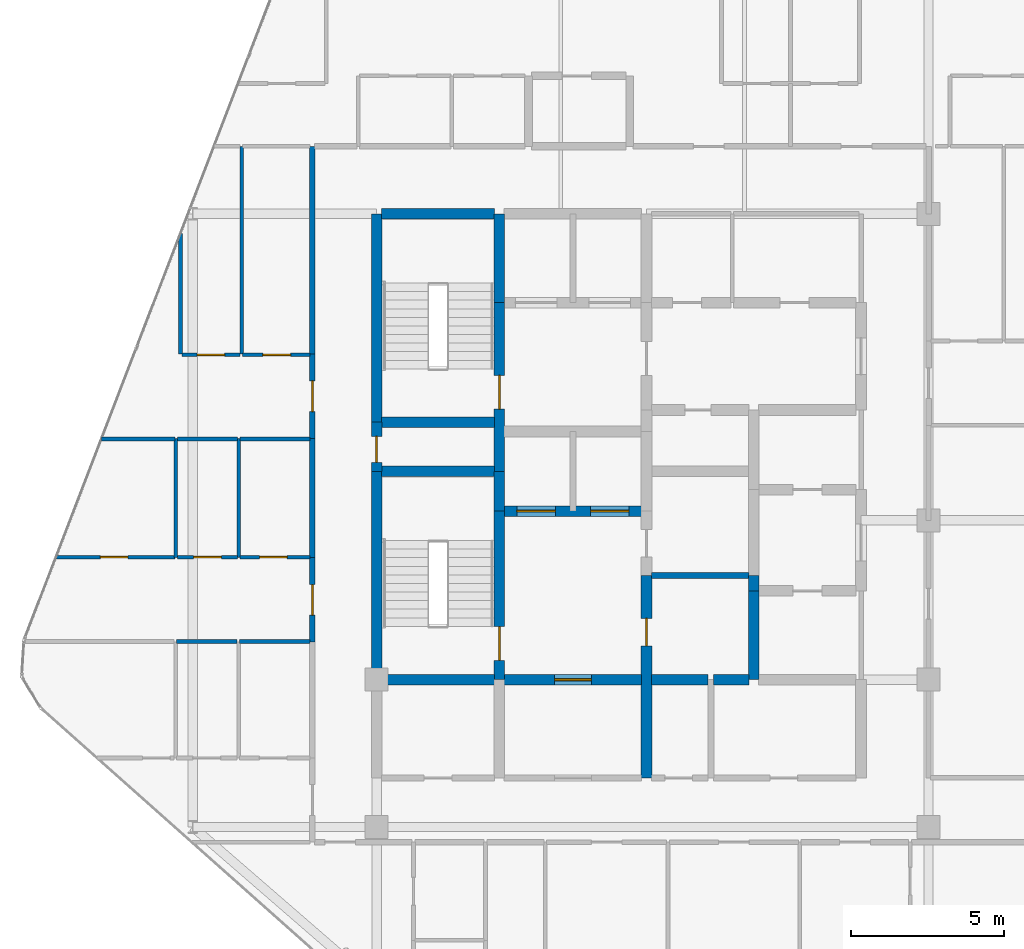
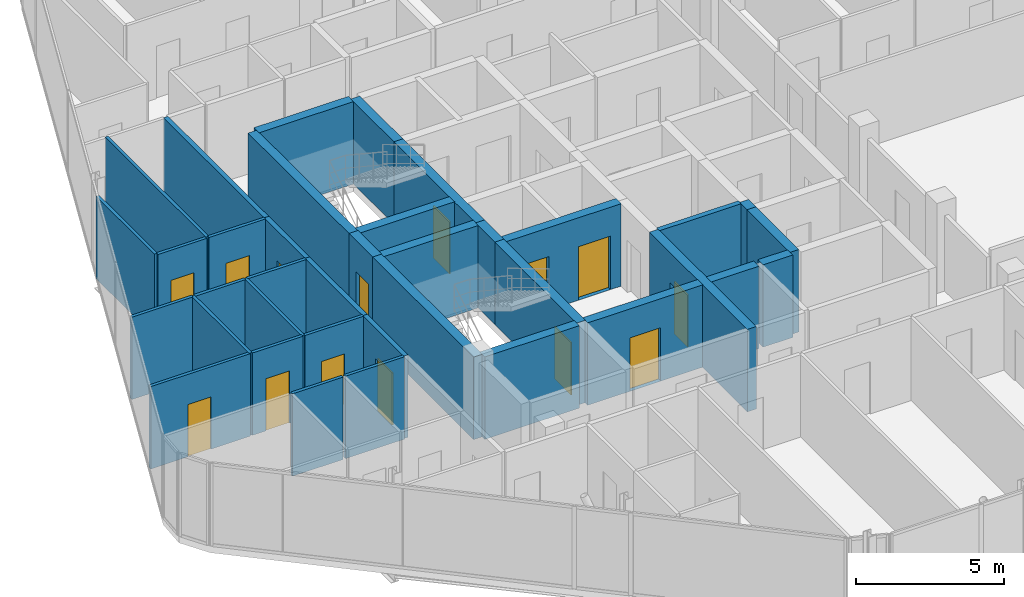
# One storey, part 23 of 27: 37 walls, 14 doors, 14 openings.
"""IFC4 building model written with IfcOpenShell, lengths in metres."""

from ifc_helpers import new_model, si_unit, direction, frame, frame_2d, origin, place, context, subcontext, project, spatial, rectangle, extrude, material, layer, layer_set, type_object, element, fill, save


model = new_model("IFC4")

# Units and contexts
model_context = context("Model", 3, precision=1e-05, world=origin(), true_north=direction((0.0, 1.0)))
body_context = subcontext(model_context, "Body", "Model", "MODEL_VIEW")
ifc_project = project(units=[si_unit("LENGTHUNIT", "METRE"), si_unit("AREAUNIT", "SQUARE_METRE"), si_unit("VOLUMEUNIT", "CUBIC_METRE"), si_unit("PLANEANGLEUNIT", "RADIAN"), si_unit("MASSUNIT", "GRAM", prefix="KILO")], contexts=[model_context])

# Site, building, storey
site_placement = place(None, origin())
site = spatial("IfcSite", under=ifc_project, at=site_placement, CompositionType="ELEMENT")
building_placement = place(site_placement, origin())
building = spatial("IfcBuilding", under=site, at=building_placement, Name="Keshet Zoharim Tower", CompositionType="ELEMENT")
storey_placement = place(building_placement, frame((0.0, 0.0, 269.5)))
storey = spatial("IfcBuildingStorey", under=building, at=storey_placement, Name="L67", CompositionType="ELEMENT", Elevation=269.5)

# Wall
ifc_material_1 = material(Name="Concrete C60/75", Category="concrete")
ifc_layer_1 = layer(ifc_material_1, 0.35009765625)
ifc_layer_set_1 = layer_set([ifc_layer_1], Name="Concrete C60/75")
wall_type_1 = type_object("IfcWallType", Name="WL-CORE-350", PredefinedType="SHEAR", material=ifc_layer_set_1)
wall_1_placement = place(storey_placement, frame((15.0, 22.699951171875, 0.0), z_axis=(0.0, 0.0, 1.0), x_axis=(0.0, 1.0, 0.0)))
element("IfcWall", 1, at=wall_1_placement, inside=storey, type_object=wall_type_1, Name="L67 Core Shear Wall 017", PredefinedType="SHEAR", context=body_context, shape_type="SweptSolid", body=[
    extrude(rectangle(XDim=6.800048828125, YDim=0.35009765625, at=frame_2d((3.39990234375, 0.0))), origin(), (0.0, 0.0, 1.0), 3.389892578125),
])

# Wall, opening, door
wall_2_placement = place(storey_placement, frame((15.0, 29.5, 0.0), z_axis=(0.0, 0.0, 1.0), x_axis=(0.0, 1.0, 0.0)))
wall_2 = element("IfcWall", 2, at=wall_2_placement, inside=storey, type_object=wall_type_1, Name="L67 Core Shear Wall 018", PredefinedType="SHEAR", context=body_context, shape_type="SweptSolid", body=[
    extrude(rectangle(XDim=1.60009765625, YDim=0.35009765625, at=frame_2d((0.800048828125, 0.0))), origin(), (0.0, 0.0, 1.0), 3.389892578125),
])
opening_1_placement = place(wall_2_placement, frame((0.287109375, 0.0, 0.0)))
opening_1 = element("IfcOpeningElement", 3, at=opening_1_placement, cuts=wall_2, Name="Opening D-RS85", PredefinedType="OPENING", context=body_context, shape_type="SweptSolid", body=[
    extrude(rectangle(XDim=0.85009765625, YDim=2.10009765625, at=frame_2d((0.425048828125, 1.050048828125))), frame((0.0, 0.18505859375, 0.0), z_axis=(0.0, -1.0, 0.0), x_axis=(1.0, 0.0, 0.0)), (0.0, 0.0, 1.0), 0.3701171875),
])
ifc_material_2 = material(Name="Hardwood Timber", Category="wood")
door_type_1 = type_object("IfcDoorType", Name="DR-RIS-085", OperationType="NOTDEFINED", PredefinedType="DOOR", material=ifc_material_2)
door_1_placement = place(opening_1_placement, origin())
door_1 = element("IfcDoor", 4, at=door_1_placement, inside=storey, type_object=door_type_1, Name="L67 Electrical Riser Access Cupboard Door", OperationType="SINGLE_SWING_RIGHT", OverallHeight=2.10009765625, OverallWidth=0.85009765625, PredefinedType="DOOR", context=body_context, shape_type="SweptSolid", body=[
    extrude(rectangle(XDim=0.85009765625, YDim=2.10009765625, at=frame_2d((0.425048828125, 1.050048828125))), frame((0.0, 0.02490234375, 0.0), z_axis=(0.0, -1.0, 0.0), x_axis=(1.0, 0.0, 0.0)), (0.0, 0.0, 1.0), 0.050048828125),
])
fill(opening_1, door_1)

# Wall
wall_3_placement = place(storey_placement, frame((15.0, 31.10009765625, 0.0), z_axis=(0.0, 0.0, 1.0), x_axis=(0.0, 1.0, 0.0)))
element("IfcWall", 5, at=wall_3_placement, inside=storey, type_object=wall_type_1, Name="L67 Core Shear Wall 019", PredefinedType="SHEAR", context=body_context, shape_type="SweptSolid", body=[
    extrude(rectangle(XDim=6.7998046875, YDim=0.35009765625, at=frame_2d((3.39990234375, 0.0))), origin(), (0.0, 0.0, 1.0), 3.389892578125),
])

# Wall, opening, door
wall_4_placement = place(storey_placement, frame((19.0, 22.699951171875, 0.0), z_axis=(0.0, 0.0, 1.0), x_axis=(0.0, 1.0, 0.0)))
wall_4 = element("IfcWall", 6, at=wall_4_placement, inside=storey, type_object=wall_type_1, Name="L67 Core Shear Wall 027", PredefinedType="SHEAR", context=body_context, shape_type="SweptSolid", body=[
    extrude(rectangle(XDim=5.5, YDim=0.35009765625, at=frame_2d((2.75, 0.0))), origin(), (0.0, 0.0, 1.0), 3.389892578125),
])
opening_2_placement = place(wall_4_placement, frame((0.631103515625, 0.0, 0.0)))
opening_2 = element("IfcOpeningElement", 7, at=opening_2_placement, cuts=wall_4, Name="Opening D-F611", PredefinedType="OPENING", context=body_context, shape_type="SweptSolid", body=[
    extrude(rectangle(XDim=1.10009765625, YDim=2.14990234375, at=frame_2d((0.550048828125, 1.074951171875))), frame((0.0, 0.18505859375, 0.0), z_axis=(0.0, -1.0, 0.0), x_axis=(1.0, 0.0, 0.0)), (0.0, 0.0, 1.0), 0.3701171875),
])
door_type_2 = type_object("IfcDoorType", Name="DR-FD60-110", OperationType="NOTDEFINED", PredefinedType="DOOR", material=ifc_material_2)
door_2_placement = place(opening_2_placement, origin())
door_2 = element("IfcDoor", 8, at=door_2_placement, inside=storey, type_object=door_type_2, Name="L67 Exit Stair ST-01 Fire Door", OperationType="SINGLE_SWING_LEFT", OverallHeight=2.14990234375, OverallWidth=1.10009765625, PredefinedType="DOOR", context=body_context, shape_type="SweptSolid", body=[
    extrude(rectangle(XDim=1.10009765625, YDim=2.14990234375, at=frame_2d((0.550048828125, 1.074951171875))), frame((0.0, 0.02490234375, 0.0), z_axis=(0.0, -1.0, 0.0), x_axis=(1.0, 0.0, 0.0)), (0.0, 0.0, 1.0), 0.050048828125),
])
fill(opening_2, door_2)

# Wall
wall_5_placement = place(storey_placement, frame((19.0, 28.199951171875, 0.0), z_axis=(0.0, 0.0, 1.0), x_axis=(0.0, 1.0, 0.0)))
element("IfcWall", 9, at=wall_5_placement, inside=storey, type_object=wall_type_1, Name="L67 Core Shear Wall 028", PredefinedType="SHEAR", context=body_context, shape_type="SweptSolid", body=[
    extrude(rectangle(XDim=1.300048828125, YDim=0.35009765625, at=frame_2d((0.64990234375, 0.0))), origin(), (0.0, 0.0, 1.0), 3.389892578125),
])

# Wall, opening, door
wall_6_placement = place(storey_placement, frame((19.0, 29.5, 0.0), z_axis=(0.0, 0.0, 1.0), x_axis=(0.0, 1.0, 0.0)))
wall_6 = element("IfcWall", 10, at=wall_6_placement, inside=storey, type_object=wall_type_1, Name="L67 Core Shear Wall 029", PredefinedType="SHEAR", context=body_context, shape_type="SweptSolid", body=[
    extrude(rectangle(XDim=5.5, YDim=0.35009765625, at=frame_2d((2.75, 0.0))), origin(), (0.0, 0.0, 1.0), 3.389892578125),
])
opening_3_placement = place(wall_6_placement, frame((2.02490234375, 0.0, 0.0)))
opening_3 = element("IfcOpeningElement", 11, at=opening_3_placement, cuts=wall_6, Name="Opening D-F611", PredefinedType="OPENING", context=body_context, shape_type="SweptSolid", body=[
    extrude(rectangle(XDim=1.10009765625, YDim=2.14990234375, at=frame_2d((0.550048828125, 1.074951171875))), frame((0.0, 0.18505859375, 0.0), z_axis=(0.0, -1.0, 0.0), x_axis=(1.0, 0.0, 0.0)), (0.0, 0.0, 1.0), 0.3701171875),
])
door_3_placement = place(opening_3_placement, origin())
door_3 = element("IfcDoor", 12, at=door_3_placement, inside=storey, type_object=door_type_2, Name="L67 Exit Stair ST-02 Fire Door", OperationType="SINGLE_SWING_RIGHT", OverallHeight=2.14990234375, OverallWidth=1.10009765625, PredefinedType="DOOR", context=body_context, shape_type="SweptSolid", body=[
    extrude(rectangle(XDim=1.10009765625, YDim=2.14990234375, at=frame_2d((0.550048828125, 1.074951171875))), frame((0.0, 0.02490234375, 0.0), z_axis=(0.0, -1.0, 0.0), x_axis=(1.0, 0.0, 0.0)), (0.0, 0.0, 1.0), 0.050048828125),
])
fill(opening_3, door_3)

# Wall
wall_7_placement = place(storey_placement, frame((19.0, 35.0, 0.0), z_axis=(0.0, 0.0, 1.0), x_axis=(0.0, 1.0, 0.0)))
element("IfcWall", 13, at=wall_7_placement, inside=storey, type_object=wall_type_1, Name="L67 Core Shear Wall 030", PredefinedType="SHEAR", context=body_context, shape_type="SweptSolid", body=[
    extrude(rectangle(XDim=2.89990234375, YDim=0.35009765625, at=frame_2d((1.449951171875, 0.0))), origin(), (0.0, 0.0, 1.0), 3.389892578125),
])

# Wall, opening, door
wall_8_placement = place(storey_placement, frame((23.800048828125, 19.5, 0.0), z_axis=(0.0, 0.0, 1.0), x_axis=(0.0, 1.0, 0.0)))
wall_8 = element("IfcWall", 14, at=wall_8_placement, inside=storey, type_object=wall_type_1, Name="L67 Core Shear Wall 039", PredefinedType="SHEAR", context=body_context, shape_type="SweptSolid", body=[
    extrude(rectangle(XDim=6.60009765625, YDim=0.35009765625, at=frame_2d((3.300048828125, 0.0))), origin(), (0.0, 0.0, 1.0), 3.389892578125),
])
opening_4_placement = place(wall_8_placement, frame((4.303955078125, 0.0, 0.0)))
opening_4 = element("IfcOpeningElement", 15, at=opening_4_placement, cuts=wall_8, Name="Opening D-F690", PredefinedType="OPENING", context=body_context, shape_type="SweptSolid", body=[
    extrude(rectangle(XDim=0.89990234375, YDim=2.14990234375, at=frame_2d((0.449951171875, 1.074951171875))), frame((0.0, 0.18505859375, 0.0), z_axis=(0.0, -1.0, 0.0), x_axis=(1.0, 0.0, 0.0)), (0.0, 0.0, 1.0), 0.3701171875),
])
door_type_3 = type_object("IfcDoorType", Name="DR-FD60-090", OperationType="NOTDEFINED", PredefinedType="DOOR", material=ifc_material_2)
door_4_placement = place(opening_4_placement, origin())
door_4 = element("IfcDoor", 16, at=door_4_placement, inside=storey, type_object=door_type_3, Name="L67 Core Linen Store Door", OperationType="SINGLE_SWING_LEFT", OverallHeight=2.14990234375, OverallWidth=0.89990234375, PredefinedType="DOOR", context=body_context, shape_type="SweptSolid", body=[
    extrude(rectangle(XDim=0.89990234375, YDim=2.14990234375, at=frame_2d((0.449951171875, 1.074951171875))), frame((0.0, 0.02490234375, 0.0), z_axis=(0.0, -1.0, 0.0), x_axis=(1.0, 0.0, 0.0)), (0.0, 0.0, 1.0), 0.050048828125),
])
fill(opening_4, door_4)

# Walls
wall_9_placement = place(storey_placement, frame((27.300048828125, 22.699951171875, 0.0), z_axis=(0.0, 0.0, 1.0), x_axis=(0.0, 1.0, 0.0)))
element("IfcWall", 17, at=wall_9_placement, inside=storey, type_object=wall_type_1, Name="L67 Core Shear Wall 049", PredefinedType="SHEAR", context=body_context, shape_type="SweptSolid", body=[
    extrude(rectangle(XDim=2.900146484375, YDim=0.35009765625, at=frame_2d((1.4501953125, 0.0))), origin(), (0.0, 0.0, 1.0), 3.389892578125),
])
wall_10_placement = place(storey_placement, frame((27.300048828125, 25.60009765625, 0.0), z_axis=(0.0, 0.0, 1.0), x_axis=(0.0, 1.0, 0.0)))
element("IfcWall", 18, at=wall_10_placement, inside=storey, type_object=wall_type_1, Name="L67 Core Shear Wall 050", PredefinedType="SHEAR", context=body_context, shape_type="SweptSolid", body=[
    extrude(rectangle(XDim=0.5, YDim=0.35009765625, at=frame_2d((0.25, 0.0))), origin(), (0.0, 0.0, 1.0), 3.389892578125),
])
wall_11_placement = place(storey_placement, frame((15.159912109375, 22.699951171875, 0.0), z_axis=(0.0, 0.0, 1.0), x_axis=(1.0, 0.0, 0.0)))
element("IfcWall", 19, at=wall_11_placement, inside=storey, type_object=wall_type_1, Name="L67 Core Shear Wall 109", PredefinedType="SHEAR", context=body_context, shape_type="SweptSolid", body=[
    extrude(rectangle(XDim=3.68017578125, YDim=0.35009765625, at=frame_2d((1.840087890625, 0.0))), origin(), (0.0, 0.0, 1.0), 3.389892578125),
])

# Wall, opening, door
wall_12_placement = place(storey_placement, frame((19.159912109375, 22.699951171875, 0.0), z_axis=(0.0, 0.0, 1.0), x_axis=(1.0, 0.0, 0.0)))
wall_12 = element("IfcWall", 20, at=wall_12_placement, inside=storey, type_object=wall_type_1, Name="L67 Core Shear Wall 110", PredefinedType="SHEAR", context=body_context, shape_type="SweptSolid", body=[
    extrude(rectangle(XDim=4.47998046875, YDim=0.35009765625, at=frame_2d((2.239990234375, 0.0))), origin(), (0.0, 0.0, 1.0), 3.389892578125),
])
opening_5_placement = place(wall_12_placement, frame((1.639892578125, 0.0, 0.0)))
opening_5 = element("IfcOpeningElement", 21, at=opening_5_placement, cuts=wall_12, Name="Opening D-F612", PredefinedType="OPENING", context=body_context, shape_type="SweptSolid", body=[
    extrude(rectangle(XDim=1.199951171875, YDim=2.199951171875, at=frame_2d((0.60009765625, 1.10009765625))), frame((0.0, 0.18505859375, 0.0), z_axis=(0.0, -1.0, 0.0), x_axis=(1.0, 0.0, 0.0)), (0.0, 0.0, 1.0), 0.3701171875),
])
door_type_4 = type_object("IfcDoorType", Name="DR-FD60-120", OperationType="NOTDEFINED", PredefinedType="DOOR", material=ifc_material_2)
door_5_placement = place(opening_5_placement, origin())
door_5 = element("IfcDoor", 22, at=door_5_placement, inside=storey, type_object=door_type_4, Name="L67 South Core Lobby Fire Door", OperationType="SINGLE_SWING_LEFT", OverallHeight=2.199951171875, OverallWidth=1.199951171875, PredefinedType="DOOR", context=body_context, shape_type="SweptSolid", body=[
    extrude(rectangle(XDim=1.199951171875, YDim=2.199951171875, at=frame_2d((0.60009765625, 1.10009765625))), frame((0.0, 0.02490234375, 0.0), z_axis=(0.0, -1.0, 0.0), x_axis=(1.0, 0.0, 0.0)), (0.0, 0.0, 1.0), 0.050048828125),
])
fill(opening_5, door_5)

# Walls
wall_13_placement = place(storey_placement, frame((23.9599609375, 22.699951171875, 0.0), z_axis=(0.0, 0.0, 1.0), x_axis=(1.0, 0.0, 0.0)))
element("IfcWall", 23, at=wall_13_placement, inside=storey, type_object=wall_type_1, Name="L67 Core Shear Wall 111", PredefinedType="SHEAR", context=body_context, shape_type="SweptSolid", body=[
    extrude(rectangle(XDim=1.85498046875, YDim=0.35009765625, at=frame_2d((0.927490234375, 0.0))), origin(), (0.0, 0.0, 1.0), 3.389892578125),
])
wall_14_placement = place(storey_placement, frame((25.985107421875, 22.699951171875, 0.0), z_axis=(0.0, 0.0, 1.0), x_axis=(1.0, 0.0, 0.0)))
element("IfcWall", 24, at=wall_14_placement, inside=storey, type_object=wall_type_1, Name="L67 Core Shear Wall 112", PredefinedType="SHEAR", context=body_context, shape_type="SweptSolid", body=[
    extrude(rectangle(XDim=1.15478515625, YDim=0.35009765625, at=frame_2d((0.577392578125, 0.0))), origin(), (0.0, 0.0, 1.0), 3.389892578125),
])

# Wall, openings, doors
wall_15_placement = place(storey_placement, frame((19.159912109375, 28.199951171875, 0.0), z_axis=(0.0, 0.0, 1.0), x_axis=(1.0, 0.0, 0.0)))
wall_15 = element("IfcWall", 25, at=wall_15_placement, inside=storey, type_object=wall_type_1, Name="L67 Core Shear Wall 122", PredefinedType="SHEAR", context=body_context, shape_type="SweptSolid", body=[
    extrude(rectangle(XDim=4.47998046875, YDim=0.35009765625, at=frame_2d((2.239990234375, 0.0))), origin(), (0.0, 0.0, 1.0), 3.389892578125),
])
opening_6_placement = place(wall_15_placement, frame((0.4150390625, 0.0, 0.0)))
opening_6 = element("IfcOpeningElement", 26, at=opening_6_placement, cuts=wall_15, Name="Opening LD-01", PredefinedType="OPENING", context=body_context, shape_type="SweptSolid", body=[
    extrude(rectangle(XDim=1.25, YDim=2.199951171875, at=frame_2d((0.625, 1.10009765625))), frame((0.0, 0.18505859375, 0.0), z_axis=(0.0, -1.0, 0.0), x_axis=(1.0, 0.0, 0.0)), (0.0, 0.0, 1.0), 0.3701171875),
])
opening_7_placement = place(wall_15_placement, frame((2.81494140625, 0.0, 0.0)))
opening_7 = element("IfcOpeningElement", 27, at=opening_7_placement, cuts=wall_15, Name="Opening LD-01", PredefinedType="OPENING", context=body_context, shape_type="SweptSolid", body=[
    extrude(rectangle(XDim=1.25, YDim=2.199951171875, at=frame_2d((0.625, 1.10009765625))), frame((0.0, 0.18505859375, 0.0), z_axis=(0.0, -1.0, 0.0), x_axis=(1.0, 0.0, 0.0)), (0.0, 0.0, 1.0), 0.3701171875),
])
ifc_material_3 = material(Name="Steel S355", Category="steel")
door_type_5 = type_object("IfcDoorType", Name="DR-LD01-125", OperationType="DOUBLE_DOOR_SLIDING", PredefinedType="DOOR", material=ifc_material_3)
door_6_placement = place(opening_6_placement, origin())
door_6 = element("IfcDoor", 28, at=door_6_placement, inside=storey, type_object=door_type_5, Name="L67 Passenger Lift Landing Door LF-09", OperationType="DOUBLE_DOOR_SLIDING", OverallHeight=2.199951171875, OverallWidth=1.25, PredefinedType="DOOR", context=body_context, shape_type="SweptSolid", body=[
    extrude(rectangle(XDim=1.25, YDim=2.199951171875, at=frame_2d((0.625, 1.10009765625))), frame((0.0, 0.02490234375, 0.0), z_axis=(0.0, -1.0, 0.0), x_axis=(1.0, 0.0, 0.0)), (0.0, 0.0, 1.0), 0.050048828125),
])
fill(opening_6, door_6)
door_7_placement = place(opening_7_placement, origin())
door_7 = element("IfcDoor", 29, at=door_7_placement, inside=storey, type_object=door_type_5, Name="L67 Passenger Lift Landing Door LF-10", OperationType="DOUBLE_DOOR_SLIDING", OverallHeight=2.199951171875, OverallWidth=1.25, PredefinedType="DOOR", context=body_context, shape_type="SweptSolid", body=[
    extrude(rectangle(XDim=1.25, YDim=2.199951171875, at=frame_2d((0.625, 1.10009765625))), frame((0.0, 0.02490234375, 0.0), z_axis=(0.0, -1.0, 0.0), x_axis=(1.0, 0.0, 0.0)), (0.0, 0.0, 1.0), 0.050048828125),
])
fill(opening_7, door_7)

# Walls
for number, where, z_axis, x_axis, name in (
    (30, (15.159912109375, 29.5, 0.0), (0.0, 0.0, 1.0), (1.0, 0.0, 0.0), "L67 Core Shear Wall 124"),
    (31, (15.159912109375, 31.10009765625, 0.0), (0.0, 0.0, 1.0), (1.0, 0.0, 0.0), "L67 Core Shear Wall 131"),
    (32, (15.159912109375, 37.89990234375, 0.0), (0.0, 0.0, 1.0), (1.0, 0.0, 0.0), "L67 Core Shear Wall 142"),
):
    element("IfcWall", number, at=place(storey_placement, frame(where, z_axis=z_axis, x_axis=x_axis)), inside=storey, type_object=wall_type_1, Name=name, PredefinedType="SHEAR", context=body_context, shape_type="SweptSolid", body=[
        extrude(rectangle(XDim=3.68017578125, YDim=0.35009765625, at=frame_2d((1.840087890625, 0.0))), origin(), (0.0, 0.0, 1.0), 3.389892578125),
    ])

# Wall, opening, door
ifc_material_4 = material(Name="Gypsum Plasterboard", Category="gypsum")
ifc_layer_2 = layer(ifc_material_4, 0.179931640625)
ifc_layer_set_2 = layer_set([ifc_layer_2], Name="Gypsum Plasterboard")
wall_type_2 = type_object("IfcWallType", Name="WL-CORR-180", PredefinedType="STANDARD", material=ifc_layer_set_2)
wall_16_placement = place(storey_placement, frame((12.89990234375, 23.929931640625, 0.0), z_axis=(0.0, 0.0, 1.0), x_axis=(0.0, 1.0, 0.0)))
wall_16 = element("IfcWall", 33, at=wall_16_placement, inside=storey, type_object=wall_type_2, Name="L67 Interior Wall 009", PredefinedType="STANDARD", context=body_context, shape_type="SweptSolid", body=[
    extrude(rectangle(XDim=2.75, YDim=0.179931640625, at=frame_2d((1.375, 0.0))), origin(), (0.0, 0.0, 1.0), 3.389892578125),
])
opening_8_placement = place(wall_16_placement, frame((0.875, 0.0, 0.0)))
opening_8 = element("IfcOpeningElement", 34, at=opening_8_placement, cuts=wall_16, Name="Opening D-F310", PredefinedType="OPENING", context=body_context, shape_type="SweptSolid", body=[
    extrude(rectangle(XDim=1.0, YDim=2.14990234375, at=frame_2d((0.5, 1.074951171875))), frame((0.0, 0.10009765625, 0.0), z_axis=(0.0, -1.0, 0.0), x_axis=(1.0, 0.0, 0.0)), (0.0, 0.0, 1.0), 0.199951171875),
])
door_type_6 = type_object("IfcDoorType", Name="DR-FD30-100", OperationType="NOTDEFINED", PredefinedType="DOOR", material=ifc_material_2)
door_8_placement = place(opening_8_placement, origin())
door_8 = element("IfcDoor", 35, at=door_8_placement, inside=storey, type_object=door_type_6, Name="Apartment 6707 Entrance Door", OperationType="SINGLE_SWING_RIGHT", OverallHeight=2.14990234375, OverallWidth=1.0, PredefinedType="DOOR", context=body_context, shape_type="SweptSolid", body=[
    extrude(rectangle(XDim=1.0, YDim=2.14990234375, at=frame_2d((0.5, 1.074951171875))), frame((0.0, 0.02490234375, 0.0), z_axis=(0.0, -1.0, 0.0), x_axis=(1.0, 0.0, 0.0)), (0.0, 0.0, 1.0), 0.050048828125),
])
fill(opening_8, door_8)

# Wall
wall_17_placement = place(storey_placement, frame((12.89990234375, 26.679931640625, 0.0), z_axis=(0.0, 0.0, 1.0), x_axis=(0.0, 1.0, 0.0)))
element("IfcWall", 36, at=wall_17_placement, inside=storey, type_object=wall_type_2, Name="L67 Interior Wall 010", PredefinedType="STANDARD", context=body_context, shape_type="SweptSolid", body=[
    extrude(rectangle(XDim=3.89013671875, YDim=0.179931640625, at=frame_2d((1.945068359375, 0.0))), origin(), (0.0, 0.0, 1.0), 3.389892578125),
])

# Wall, opening, door
wall_18_placement = place(storey_placement, frame((12.89990234375, 30.570068359375, 0.0), z_axis=(0.0, 0.0, 1.0), x_axis=(0.0, 1.0, 0.0)))
wall_18 = element("IfcWall", 37, at=wall_18_placement, inside=storey, type_object=wall_type_2, Name="L67 Interior Wall 011", PredefinedType="STANDARD", context=body_context, shape_type="SweptSolid", body=[
    extrude(rectangle(XDim=2.75, YDim=0.179931640625, at=frame_2d((1.375, 0.0))), origin(), (0.0, 0.0, 1.0), 3.389892578125),
])
opening_9_placement = place(wall_18_placement, frame((0.875, 0.0, 0.0)))
opening_9 = element("IfcOpeningElement", 38, at=opening_9_placement, cuts=wall_18, Name="Opening D-F310", PredefinedType="OPENING", context=body_context, shape_type="SweptSolid", body=[
    extrude(rectangle(XDim=1.0, YDim=2.14990234375, at=frame_2d((0.5, 1.074951171875))), frame((0.0, 0.10009765625, 0.0), z_axis=(0.0, -1.0, 0.0), x_axis=(1.0, 0.0, 0.0)), (0.0, 0.0, 1.0), 0.199951171875),
])
door_9_placement = place(opening_9_placement, origin())
door_9 = element("IfcDoor", 39, at=door_9_placement, inside=storey, type_object=door_type_6, Name="Apartment 6708 Entrance Door", OperationType="SINGLE_SWING_LEFT", OverallHeight=2.14990234375, OverallWidth=1.0, PredefinedType="DOOR", context=body_context, shape_type="SweptSolid", body=[
    extrude(rectangle(XDim=1.0, YDim=2.14990234375, at=frame_2d((0.5, 1.074951171875))), frame((0.0, 0.02490234375, 0.0), z_axis=(0.0, -1.0, 0.0), x_axis=(1.0, 0.0, 0.0)), (0.0, 0.0, 1.0), 0.050048828125),
])
fill(opening_9, door_9)

# Walls
wall_19_placement = place(storey_placement, frame((12.89990234375, 33.320068359375, 0.0), z_axis=(0.0, 0.0, 1.0), x_axis=(0.0, 1.0, 0.0)))
element("IfcWall", 40, at=wall_19_placement, inside=storey, type_object=wall_type_2, Name="L67 Interior Wall 012", PredefinedType="STANDARD", context=body_context, shape_type="SweptSolid", body=[
    extrude(rectangle(XDim=6.780029296875, YDim=0.179931640625, at=frame_2d((3.39013671875, 0.0))), origin(), (0.0, 0.0, 1.0), 3.389892578125),
])
ifc_material_5 = material(Name="Concrete C50/60", Category="concrete")
ifc_layer_3 = layer(ifc_material_5, 0.199951171875)
ifc_layer_set_3 = layer_set([ifc_layer_3], Name="Concrete C50/60")
wall_type_3 = type_object("IfcWallType", Name="WL-FIRE-200", PredefinedType="STANDARD", material=ifc_layer_set_3)
wall_20_placement = place(storey_placement, frame((23.9599609375, 26.10009765625, 0.0), z_axis=(0.0, 0.0, 1.0), x_axis=(1.0, 0.0, 0.0)))
element("IfcWall", 41, at=wall_20_placement, inside=storey, type_object=wall_type_3, Name="L67 Interior Wall 118", PredefinedType="STANDARD", context=body_context, shape_type="SweptSolid", body=[
    extrude(rectangle(XDim=3.179931640625, YDim=0.199951171875, at=frame_2d((1.58984375, 0.0))), origin(), (0.0, 0.0, 1.0), 3.389892578125),
])
ifc_layer_4 = layer(ifc_material_4, 0.1201171875)
ifc_layer_set_4 = layer_set([ifc_layer_4], Name="Gypsum Plasterboard")
wall_type_4 = type_object("IfcWallType", Name="WL-PART-120", PredefinedType="PARTITIONING", material=ifc_layer_set_4)
wall_21_placement = place(storey_placement, frame((8.449951171875, 26.679931640625, 0.0), z_axis=(0.0, 0.0, 1.0), x_axis=(0.0, 1.0, 0.0)))
element("IfcWall", 42, at=wall_21_placement, inside=storey, type_object=wall_type_4, Name="L67 Interior Wall 002", PredefinedType="PARTITIONING", context=body_context, shape_type="SweptSolid", body=[
    extrude(rectangle(XDim=3.89013671875, YDim=0.1201171875, at=frame_2d((1.945068359375, 0.0))), origin(), (0.0, 0.0, 1.0), 3.389892578125),
])
wall_22_placement = place(storey_placement, frame((8.60009765625, 33.320068359375, 0.0), z_axis=(0.0, 0.0, 1.0), x_axis=(0.0, 1.0, 0.0)))
element("IfcWall", 43, at=wall_22_placement, inside=storey, type_object=wall_type_4, Name="L67 Interior Wall 003", PredefinedType="PARTITIONING", context=body_context, shape_type="SweptSolid", body=[
    extrude(rectangle(XDim=3.929931640625, YDim=0.1201171875, at=frame_2d((1.96484375, 0.0))), origin(), (0.0, 0.0, 1.0), 3.389892578125),
])
wall_23_placement = place(storey_placement, frame((8.472900390625, 23.949951171875, 0.0), z_axis=(0.0, 0.0, 1.0), x_axis=(1.0, 0.0, 0.0)))
element("IfcWall", 44, at=wall_23_placement, inside=storey, type_object=wall_type_4, Name="L67 Interior Wall 115", PredefinedType="PARTITIONING", context=body_context, shape_type="SweptSolid", body=[
    extrude(rectangle(XDim=1.967041015625, YDim=0.1201171875, at=frame_2d((0.9833984375, 0.0))), origin(), (0.0, 0.0, 1.0), 3.389892578125),
])

# Wall, opening, door
wall_24_placement = place(storey_placement, frame((4.548095703125, 26.699951171875, 0.0), z_axis=(0.0, 0.0, 1.0), x_axis=(1.0, 0.0, 0.0)))
wall_24 = element("IfcWall", 45, at=wall_24_placement, inside=storey, type_object=wall_type_4, Name="L67 Interior Wall 119", PredefinedType="PARTITIONING", context=body_context, shape_type="SweptSolid", body=[
    extrude(rectangle(XDim=3.867919921875, YDim=0.1201171875, at=frame_2d((1.93408203125, 0.0))), origin(), (0.0, 0.0, 1.0), 3.389892578125),
])
opening_10_placement = place(wall_24_placement, frame((1.43798828125, 0.0, 0.0)))
opening_10 = element("IfcOpeningElement", 46, at=opening_10_placement, cuts=wall_24, Name="Opening D-IN90", PredefinedType="OPENING", context=body_context, shape_type="SweptSolid", body=[
    extrude(rectangle(XDim=0.89990234375, YDim=2.14990234375, at=frame_2d((0.449951171875, 1.074951171875))), frame((0.0, 0.070068359375, 0.0), z_axis=(0.0, -1.0, 0.0), x_axis=(1.0, 0.0, 0.0)), (0.0, 0.0, 1.0), 0.14013671875),
])
door_type_7 = type_object("IfcDoorType", Name="DR-INT-090", OperationType="NOTDEFINED", PredefinedType="DOOR", material=ifc_material_2)
door_10_placement = place(opening_10_placement, origin())
door_10 = element("IfcDoor", 47, at=door_10_placement, inside=storey, type_object=door_type_7, Name="Apartment 6707 Bedroom 1 Door", OperationType="SINGLE_SWING_LEFT", OverallHeight=2.14990234375, OverallWidth=0.89990234375, PredefinedType="DOOR", context=body_context, shape_type="SweptSolid", body=[
    extrude(rectangle(XDim=0.89990234375, YDim=2.14990234375, at=frame_2d((0.449951171875, 1.074951171875))), frame((0.0, 0.02490234375, 0.0), z_axis=(0.0, -1.0, 0.0), x_axis=(1.0, 0.0, 0.0)), (0.0, 0.0, 1.0), 0.050048828125),
])
fill(opening_10, door_10)

wall_25_placement = place(storey_placement, frame((8.506103515625, 26.699951171875, 0.0), z_axis=(0.0, 0.0, 1.0), x_axis=(1.0, 0.0, 0.0)))
wall_25 = element("IfcWall", 48, at=wall_25_placement, inside=storey, type_object=wall_type_4, Name="L67 Interior Wall 120", PredefinedType="PARTITIONING", context=body_context, shape_type="SweptSolid", body=[
    extrude(rectangle(XDim=1.951904296875, YDim=0.1201171875, at=frame_2d((0.97607421875, 0.0))), origin(), (0.0, 0.0, 1.0), 3.389892578125),
])
opening_11_placement = place(wall_25_placement, frame((0.52587890625, 0.0, 0.0)))
opening_11 = element("IfcOpeningElement", 49, at=opening_11_placement, cuts=wall_25, Name="Opening D-IN90", PredefinedType="OPENING", context=body_context, shape_type="SweptSolid", body=[
    extrude(rectangle(XDim=0.89990234375, YDim=2.14990234375, at=frame_2d((0.449951171875, 1.074951171875))), frame((0.0, 0.070068359375, 0.0), z_axis=(0.0, -1.0, 0.0), x_axis=(1.0, 0.0, 0.0)), (0.0, 0.0, 1.0), 0.14013671875),
])
door_11_placement = place(opening_11_placement, origin())
door_11 = element("IfcDoor", 50, at=door_11_placement, inside=storey, type_object=door_type_7, Name="Apartment 6707 Kitchen Door", OperationType="SINGLE_SWING_RIGHT", OverallHeight=2.14990234375, OverallWidth=0.89990234375, PredefinedType="DOOR", context=body_context, shape_type="SweptSolid", body=[
    extrude(rectangle(XDim=0.89990234375, YDim=2.14990234375, at=frame_2d((0.449951171875, 1.074951171875))), frame((0.0, 0.02490234375, 0.0), z_axis=(0.0, -1.0, 0.0), x_axis=(1.0, 0.0, 0.0)), (0.0, 0.0, 1.0), 0.050048828125),
])
fill(opening_11, door_11)

# Walls
wall_26_placement = place(storey_placement, frame((6.029052734375, 30.550048828125, 0.0), z_axis=(0.0, 0.0, 1.0), x_axis=(1.0, 0.0, 0.0)))
element("IfcWall", 51, at=wall_26_placement, inside=storey, type_object=wall_type_4, Name="L67 Interior Wall 126", PredefinedType="PARTITIONING", context=body_context, shape_type="SweptSolid", body=[
    extrude(rectangle(XDim=2.386962890625, YDim=0.1201171875, at=frame_2d((1.193359375, 0.0))), origin(), (0.0, 0.0, 1.0), 3.389892578125),
])
wall_27_placement = place(storey_placement, frame((8.506103515625, 30.550048828125, 0.0), z_axis=(0.0, 0.0, 1.0), x_axis=(1.0, 0.0, 0.0)))
element("IfcWall", 52, at=wall_27_placement, inside=storey, type_object=wall_type_4, Name="L67 Interior Wall 127", PredefinedType="PARTITIONING", context=body_context, shape_type="SweptSolid", body=[
    extrude(rectangle(XDim=1.951904296875, YDim=0.1201171875, at=frame_2d((0.97607421875, 0.0))), origin(), (0.0, 0.0, 1.0), 3.389892578125),
])

# Wall, opening, door
wall_28_placement = place(storey_placement, frame((8.64501953125, 33.300048828125, 0.0), z_axis=(0.0, 0.0, 1.0), x_axis=(1.0, 0.0, 0.0)))
wall_28 = element("IfcWall", 53, at=wall_28_placement, inside=storey, type_object=wall_type_4, Name="L67 Interior Wall 134", PredefinedType="PARTITIONING", context=body_context, shape_type="SweptSolid", body=[
    extrude(rectangle(XDim=1.887939453125, YDim=0.1201171875, at=frame_2d((0.94384765625, 0.0))), origin(), (0.0, 0.0, 1.0), 3.389892578125),
])
opening_12_placement = place(wall_28_placement, frame((0.493896484375, 0.0, 0.0)))
opening_12 = element("IfcOpeningElement", 54, at=opening_12_placement, cuts=wall_28, Name="Opening D-IN90", PredefinedType="OPENING", context=body_context, shape_type="SweptSolid", body=[
    extrude(rectangle(XDim=0.89990234375, YDim=2.14990234375, at=frame_2d((0.449951171875, 1.074951171875))), frame((0.0, 0.070068359375, 0.0), z_axis=(0.0, -1.0, 0.0), x_axis=(1.0, 0.0, 0.0)), (0.0, 0.0, 1.0), 0.14013671875),
])
door_12_placement = place(opening_12_placement, origin())
door_12 = element("IfcDoor", 55, at=door_12_placement, inside=storey, type_object=door_type_7, Name="Apartment 6708 Kitchen Door", OperationType="SINGLE_SWING_RIGHT", OverallHeight=2.14990234375, OverallWidth=0.89990234375, PredefinedType="DOOR", context=body_context, shape_type="SweptSolid", body=[
    extrude(rectangle(XDim=0.89990234375, YDim=2.14990234375, at=frame_2d((0.449951171875, 1.074951171875))), frame((0.0, 0.02490234375, 0.0), z_axis=(0.0, -1.0, 0.0), x_axis=(1.0, 0.0, 0.0)), (0.0, 0.0, 1.0), 0.050048828125),
])
fill(opening_12, door_12)

# Walls
ifc_layer_5 = layer(ifc_material_4, 0.1201171875)
ifc_layer_set_5 = layer_set([ifc_layer_5], Name="Gypsum Plasterboard")
wall_type_5 = type_object("IfcWallType", Name="WL-WET-120", PredefinedType="PARTITIONING", material=ifc_layer_set_5)
wall_29_placement = place(storey_placement, frame((10.5, 26.679931640625, 0.0), z_axis=(0.0, 0.0, 1.0), x_axis=(0.0, 1.0, 0.0)))
element("IfcWall", 56, at=wall_29_placement, inside=storey, type_object=wall_type_5, Name="L67 Interior Wall 005", PredefinedType="PARTITIONING", context=body_context, shape_type="SweptSolid", body=[
    extrude(rectangle(XDim=3.89013671875, YDim=0.1201171875, at=frame_2d((1.945068359375, 0.0))), origin(), (0.0, 0.0, 1.0), 3.389892578125),
])
wall_30_placement = place(storey_placement, frame((10.60009765625, 33.320068359375, 0.0), z_axis=(0.0, 0.0, 1.0), x_axis=(0.0, 1.0, 0.0)))
element("IfcWall", 57, at=wall_30_placement, inside=storey, type_object=wall_type_5, Name="L67 Interior Wall 006", PredefinedType="PARTITIONING", context=body_context, shape_type="SweptSolid", body=[
    extrude(rectangle(XDim=6.780029296875, YDim=0.1201171875, at=frame_2d((3.39013671875, 0.0))), origin(), (0.0, 0.0, 1.0), 3.389892578125),
])
wall_31_placement = place(storey_placement, frame((10.530029296875, 23.949951171875, 0.0), z_axis=(0.0, 0.0, 1.0), x_axis=(1.0, 0.0, 0.0)))
element("IfcWall", 58, at=wall_31_placement, inside=storey, type_object=wall_type_5, Name="L67 Interior Wall 116", PredefinedType="PARTITIONING", context=body_context, shape_type="SweptSolid", body=[
    extrude(rectangle(XDim=2.294921875, YDim=0.1201171875, at=frame_2d((1.1474609375, 0.0))), origin(), (0.0, 0.0, 1.0), 3.389892578125),
])

# Wall, opening, door
wall_32_placement = place(storey_placement, frame((10.548095703125, 26.699951171875, 0.0), z_axis=(0.0, 0.0, 1.0), x_axis=(1.0, 0.0, 0.0)))
wall_32 = element("IfcWall", 59, at=wall_32_placement, inside=storey, type_object=wall_type_5, Name="L67 Interior Wall 121", PredefinedType="PARTITIONING", context=body_context, shape_type="SweptSolid", body=[
    extrude(rectangle(XDim=2.27685546875, YDim=0.1201171875, at=frame_2d((1.138427734375, 0.0))), origin(), (0.0, 0.0, 1.0), 3.389892578125),
])
opening_13_placement = place(wall_32_placement, frame((0.633056640625, 0.0, 0.0)))
opening_13 = element("IfcOpeningElement", 60, at=opening_13_placement, cuts=wall_32, Name="Opening D-WT90", PredefinedType="OPENING", context=body_context, shape_type="SweptSolid", body=[
    extrude(rectangle(XDim=0.89990234375, YDim=2.10009765625, at=frame_2d((0.449951171875, 1.050048828125))), frame((0.0, 0.070068359375, 0.0), z_axis=(0.0, -1.0, 0.0), x_axis=(1.0, 0.0, 0.0)), (0.0, 0.0, 1.0), 0.14013671875),
])
door_type_8 = type_object("IfcDoorType", Name="DR-WET-090", OperationType="NOTDEFINED", PredefinedType="DOOR", material=ifc_material_2)
door_13_placement = place(opening_13_placement, origin())
door_13 = element("IfcDoor", 61, at=door_13_placement, inside=storey, type_object=door_type_8, Name="Apartment 6707 Bathroom Door", OperationType="SINGLE_SWING_LEFT", OverallHeight=2.10009765625, OverallWidth=0.89990234375, PredefinedType="DOOR", context=body_context, shape_type="SweptSolid", body=[
    extrude(rectangle(XDim=0.89990234375, YDim=2.10009765625, at=frame_2d((0.449951171875, 1.050048828125))), frame((0.0, 0.02490234375, 0.0), z_axis=(0.0, -1.0, 0.0), x_axis=(1.0, 0.0, 0.0)), (0.0, 0.0, 1.0), 0.050048828125),
])
fill(opening_13, door_13)

# Wall
wall_33_placement = place(storey_placement, frame((10.548095703125, 30.550048828125, 0.0), z_axis=(0.0, 0.0, 1.0), x_axis=(1.0, 0.0, 0.0)))
element("IfcWall", 62, at=wall_33_placement, inside=storey, type_object=wall_type_5, Name="L67 Interior Wall 128", PredefinedType="PARTITIONING", context=body_context, shape_type="SweptSolid", body=[
    extrude(rectangle(XDim=2.27685546875, YDim=0.1201171875, at=frame_2d((1.138427734375, 0.0))), origin(), (0.0, 0.0, 1.0), 3.389892578125),
])

# Wall, opening, door
wall_34_placement = place(storey_placement, frame((10.623046875, 33.300048828125, 0.0), z_axis=(0.0, 0.0, 1.0), x_axis=(1.0, 0.0, 0.0)))
wall_34 = element("IfcWall", 63, at=wall_34_placement, inside=storey, type_object=wall_type_5, Name="L67 Interior Wall 135", PredefinedType="PARTITIONING", context=body_context, shape_type="SweptSolid", body=[
    extrude(rectangle(XDim=2.201904296875, YDim=0.1201171875, at=frame_2d((1.10107421875, 0.0))), origin(), (0.0, 0.0, 1.0), 3.389892578125),
])
opening_14_placement = place(wall_34_placement, frame((0.666015625, 0.0, 0.0)))
opening_14 = element("IfcOpeningElement", 64, at=opening_14_placement, cuts=wall_34, Name="Opening D-WT90", PredefinedType="OPENING", context=body_context, shape_type="SweptSolid", body=[
    extrude(rectangle(XDim=0.89990234375, YDim=2.10009765625, at=frame_2d((0.449951171875, 1.050048828125))), frame((0.0, 0.070068359375, 0.0), z_axis=(0.0, -1.0, 0.0), x_axis=(1.0, 0.0, 0.0)), (0.0, 0.0, 1.0), 0.14013671875),
])
door_14_placement = place(opening_14_placement, origin())
door_14 = element("IfcDoor", 65, at=door_14_placement, inside=storey, type_object=door_type_8, Name="Apartment 6708 Bathroom Door", OperationType="SINGLE_SWING_LEFT", OverallHeight=2.10009765625, OverallWidth=0.89990234375, PredefinedType="DOOR", context=body_context, shape_type="SweptSolid", body=[
    extrude(rectangle(XDim=0.89990234375, YDim=2.10009765625, at=frame_2d((0.449951171875, 1.050048828125))), frame((0.0, 0.02490234375, 0.0), z_axis=(0.0, -1.0, 0.0), x_axis=(1.0, 0.0, 0.0)), (0.0, 0.0, 1.0), 0.050048828125),
])
fill(opening_14, door_14)

save(model, "model.ifc")
